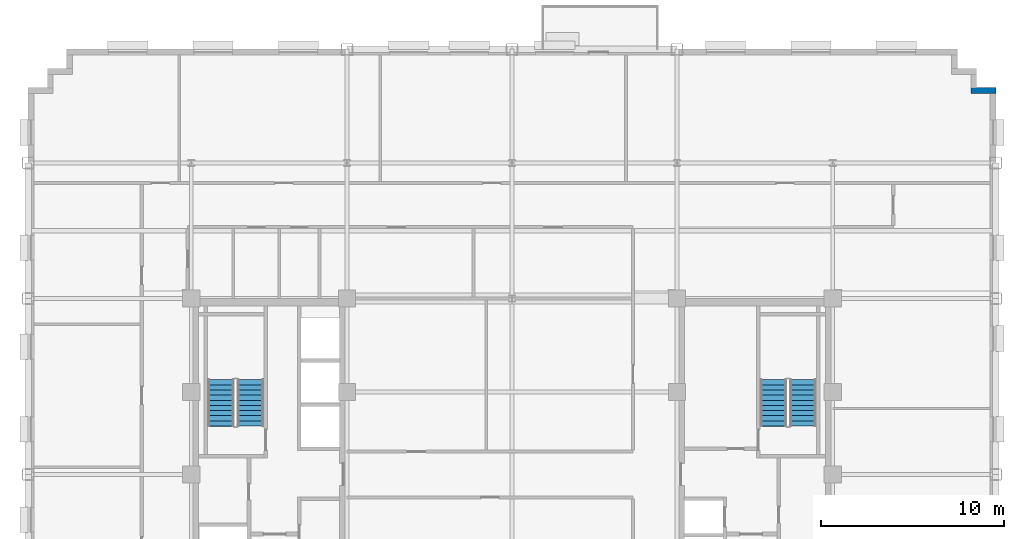
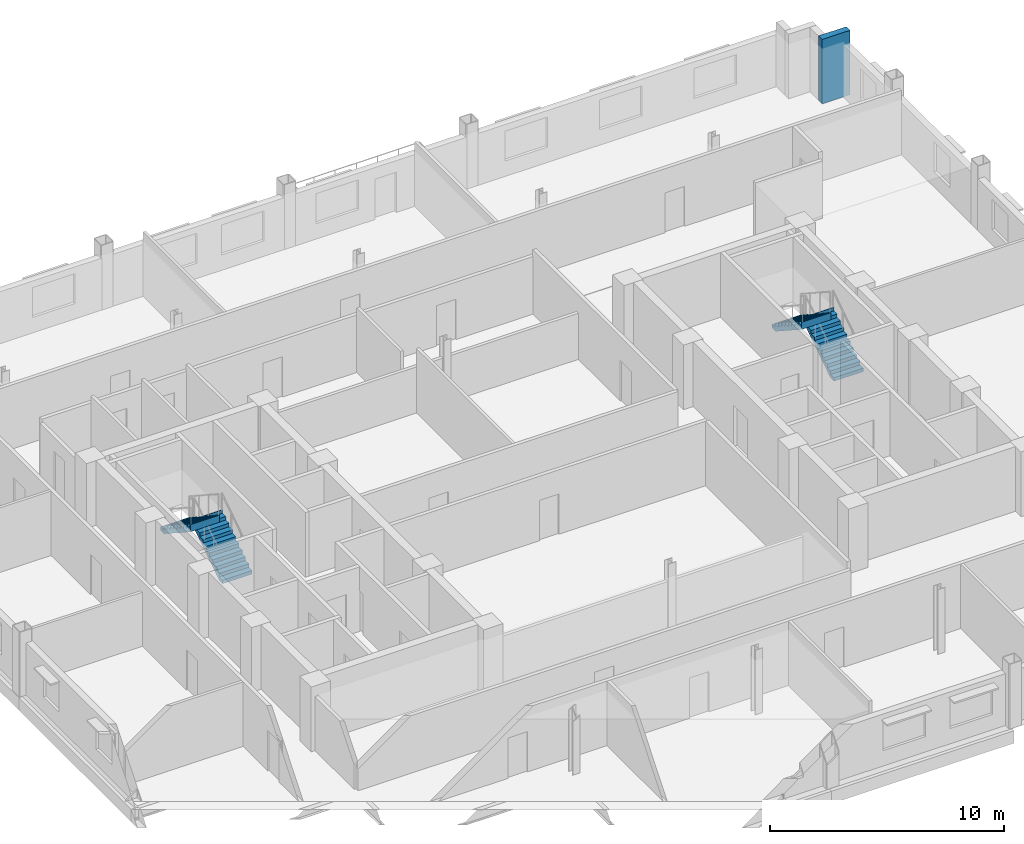
# One storey, part 10 of 14: 4 stair flights, 1 wall, 2 elements without a shape of their own.
"""IFC4 building model written with IfcOpenShell, lengths in metres."""

from ifc_helpers import new_model, si_unit, direction, frame, frame_2d, origin, place, context, subcontext, project, spatial, polyline, rectangle, outline, extrude, material, layer, layer_set, type_object, element, aggregate, save


model = new_model("IFC4")

# Units and contexts
model_context = context("Model", 3, precision=1e-05, world=origin(), true_north=direction((0.0, 1.0)))
body_context = subcontext(model_context, "Body", "Model", "MODEL_VIEW")
ifc_project = project(units=[si_unit("LENGTHUNIT", "METRE"), si_unit("AREAUNIT", "SQUARE_METRE"), si_unit("VOLUMEUNIT", "CUBIC_METRE"), si_unit("PLANEANGLEUNIT", "RADIAN"), si_unit("MASSUNIT", "GRAM", prefix="KILO")], contexts=[model_context])

# Site, building, storey
site_placement = place(None, origin())
site = spatial("IfcSite", under=ifc_project, at=site_placement, CompositionType="ELEMENT")
building_placement = place(site_placement, origin())
building = spatial("IfcBuilding", under=site, at=building_placement, Name="Nuvemarco Arch Tower", CompositionType="ELEMENT")
storey_placement = place(building_placement, frame((0.0, 0.0, 160.35009765625)))
storey = spatial("IfcBuildingStorey", under=building, at=storey_placement, Name="L42", CompositionType="ELEMENT", Elevation=160.35009765625)

# Wall
ifc_material = material(Name="Precast concrete C45/55", Category="concrete")
ifc_layer = layer(ifc_material, 0.320068359375, Name="EW-MID-320")
ifc_layer_set = layer_set([ifc_layer], Name="Precast concrete C45/55")
wall_type = type_object("IfcWallType", Name="EW-MID-320", PredefinedType="STANDARD", material=ifc_layer_set)
wall_placement = place(storey_placement, frame((25.030029296875, 20.93994140625, 0.0), z_axis=(0.0, 0.0, 1.0), x_axis=(1.0, 0.0, 0.0)))
element("IfcWall", 1, at=wall_placement, inside=storey, type_object=wall_type, Name="L42 exterior precast facade wall 7", PredefinedType="STANDARD", context=body_context, shape_type="SweptSolid", body=[
    extrude(rectangle(XDim=1.369873046875, YDim=0.320068359375, at=frame_2d((0.68505859375, 0.0))), origin(), (0.0, 0.0, 1.0), 3.35986328125),
])

# Stair, stair flights
stair_type = type_object("IfcStairType", Name="ST-CORE-20R", PredefinedType="HALF_TURN_STAIR", material=ifc_material)
stair_1_placement = place(storey_placement, origin())
stair_1 = element("IfcStair", 2, at=stair_1_placement, inside=storey, type_object=stair_type, Name="L42 Protected Exit Stair ST-1", PredefinedType="HALF_TURN_STAIR")
stair_flight_type = type_object("IfcStairFlightType", Name="SF-CORE-20R", PredefinedType="STRAIGHT", material=ifc_material)
stair_flight_1_placement = place(storey_placement, frame((-14.264892578125, 2.64990234375, 0.0), z_axis=(0.0, 0.0, 1.0), x_axis=(0.0, 1.0, 0.0)))
stair_flight_1 = element("IfcStairFlight", 3, at=stair_flight_1_placement, type_object=stair_flight_type, Name="ST-20R flight 1", NumberOfRisers=10, NumberOfTreads=9, PredefinedType="STRAIGHT", RiserHeight=0.1825, TreadLength=0.28, context=body_context, shape_type="SweptSolid", body=[
    extrude(outline(polyline([(0.0, 0.0), (0.0, 0.1826171875), (0.280029296875, 0.1826171875), (0.280029296875, 0.364990234375), (0.56005859375, 0.364990234375), (0.56005859375, 0.547607421875), (0.840087890625, 0.547607421875), (0.840087890625, 0.72998046875), (1.1201171875, 0.72998046875), (1.1201171875, 0.91259765625), (1.39990234375, 0.91259765625), (1.39990234375, 1.094970703125), (1.679931640625, 1.094970703125), (1.679931640625, 1.277587890625), (1.9599609375, 1.277587890625), (1.9599609375, 1.4599609375), (2.239990234375, 1.4599609375), (2.239990234375, 1.642578125), (2.52001953125, 1.642578125), (2.52001953125, 1.824951171875), (2.5400390625, 1.824951171875), (2.5400390625, 1.45166015625), (0.312744140625, 0.0), (0.0, 0.0)])), frame((0.0, 0.72509765625, 0.0), z_axis=(0.0, -1.0, 0.0), x_axis=(1.0, 0.0, 0.0)), (0.0, 0.0, 1.0), 1.449951171875),
])
stair_flight_2_placement = place(storey_placement, frame((-15.875, 5.169921875, 1.824951171875), z_axis=(0.0, 0.0, 1.0), x_axis=(0.0, -1.0, 0.0)))
stair_flight_2 = element("IfcStairFlight", 4, at=stair_flight_2_placement, type_object=stair_flight_type, Name="ST-20R flight 2", NumberOfRisers=10, NumberOfTreads=9, PredefinedType="STRAIGHT", RiserHeight=0.1825, TreadLength=0.28, context=body_context, shape_type="SweptSolid", body=[
    extrude(outline(polyline([(0.0, 0.0), (0.0, 0.1826171875), (0.280029296875, 0.1826171875), (0.280029296875, 0.364990234375), (0.56005859375, 0.364990234375), (0.56005859375, 0.547607421875), (0.840087890625, 0.547607421875), (0.840087890625, 0.72998046875), (1.1201171875, 0.72998046875), (1.1201171875, 0.91259765625), (1.39990234375, 0.91259765625), (1.39990234375, 1.094970703125), (1.679931640625, 1.094970703125), (1.679931640625, 1.277587890625), (1.9599609375, 1.277587890625), (1.9599609375, 1.4599609375), (2.239990234375, 1.4599609375), (2.239990234375, 1.642578125), (2.52001953125, 1.642578125), (2.52001953125, 1.824951171875), (2.5400390625, 1.824951171875), (2.5400390625, 1.45166015625), (0.312744140625, 0.0), (0.0, 0.0)])), frame((0.0, 0.72509765625, 0.0), z_axis=(0.0, -1.0, 0.0), x_axis=(1.0, 0.0, 0.0)), (0.0, 0.0, 1.0), 1.449951171875),
])
aggregate(stair_1, [stair_flight_1, stair_flight_2])

stair_2_placement = place(storey_placement, origin())
stair_2 = element("IfcStair", 5, at=stair_2_placement, inside=storey, type_object=stair_type, Name="L42 Protected Exit Stair ST-2", PredefinedType="HALF_TURN_STAIR")
stair_flight_3_placement = place(storey_placement, frame((15.875, 2.64990234375, 0.0), z_axis=(0.0, 0.0, 1.0), x_axis=(0.0, 1.0, 0.0)))
stair_flight_3 = element("IfcStairFlight", 6, at=stair_flight_3_placement, type_object=stair_flight_type, Name="ST-20R flight 1", NumberOfRisers=10, NumberOfTreads=9, PredefinedType="STRAIGHT", RiserHeight=0.1825, TreadLength=0.28, context=body_context, shape_type="SweptSolid", body=[
    extrude(outline(polyline([(0.0, 0.0), (0.0, 0.1826171875), (0.280029296875, 0.1826171875), (0.280029296875, 0.364990234375), (0.56005859375, 0.364990234375), (0.56005859375, 0.547607421875), (0.840087890625, 0.547607421875), (0.840087890625, 0.72998046875), (1.1201171875, 0.72998046875), (1.1201171875, 0.91259765625), (1.39990234375, 0.91259765625), (1.39990234375, 1.094970703125), (1.679931640625, 1.094970703125), (1.679931640625, 1.277587890625), (1.9599609375, 1.277587890625), (1.9599609375, 1.4599609375), (2.239990234375, 1.4599609375), (2.239990234375, 1.642578125), (2.52001953125, 1.642578125), (2.52001953125, 1.824951171875), (2.5400390625, 1.824951171875), (2.5400390625, 1.45166015625), (0.312744140625, 0.0), (0.0, 0.0)])), frame((0.0, 0.72509765625, 0.0), z_axis=(0.0, -1.0, 0.0), x_axis=(1.0, 0.0, 0.0)), (0.0, 0.0, 1.0), 1.449951171875),
])
stair_flight_4_placement = place(storey_placement, frame((14.264892578125, 5.169921875, 1.824951171875), z_axis=(0.0, 0.0, 1.0), x_axis=(0.0, -1.0, 0.0)))
stair_flight_4 = element("IfcStairFlight", 7, at=stair_flight_4_placement, type_object=stair_flight_type, Name="ST-20R flight 2", NumberOfRisers=10, NumberOfTreads=9, PredefinedType="STRAIGHT", RiserHeight=0.1825, TreadLength=0.28, context=body_context, shape_type="SweptSolid", body=[
    extrude(outline(polyline([(0.0, 0.0), (0.0, 0.1826171875), (0.280029296875, 0.1826171875), (0.280029296875, 0.364990234375), (0.56005859375, 0.364990234375), (0.56005859375, 0.547607421875), (0.840087890625, 0.547607421875), (0.840087890625, 0.72998046875), (1.1201171875, 0.72998046875), (1.1201171875, 0.91259765625), (1.39990234375, 0.91259765625), (1.39990234375, 1.094970703125), (1.679931640625, 1.094970703125), (1.679931640625, 1.277587890625), (1.9599609375, 1.277587890625), (1.9599609375, 1.4599609375), (2.239990234375, 1.4599609375), (2.239990234375, 1.642578125), (2.52001953125, 1.642578125), (2.52001953125, 1.824951171875), (2.5400390625, 1.824951171875), (2.5400390625, 1.45166015625), (0.312744140625, 0.0), (0.0, 0.0)])), frame((0.0, 0.72509765625, 0.0), z_axis=(0.0, -1.0, 0.0), x_axis=(1.0, 0.0, 0.0)), (0.0, 0.0, 1.0), 1.449951171875),
])
aggregate(stair_2, [stair_flight_3, stair_flight_4])

save(model, "model.ifc")
